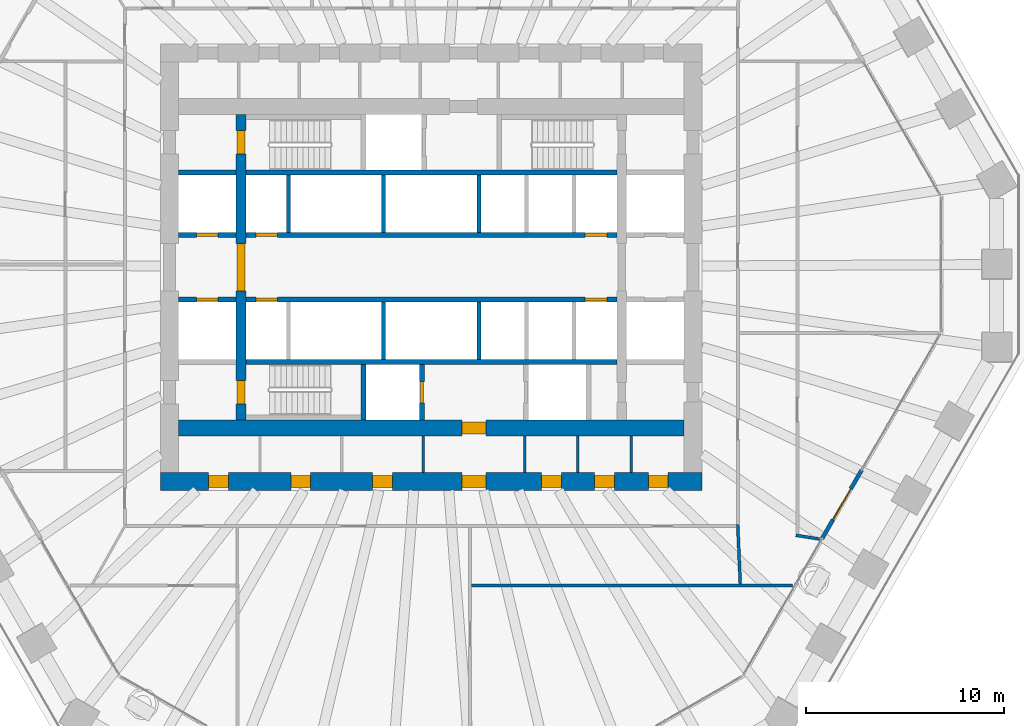
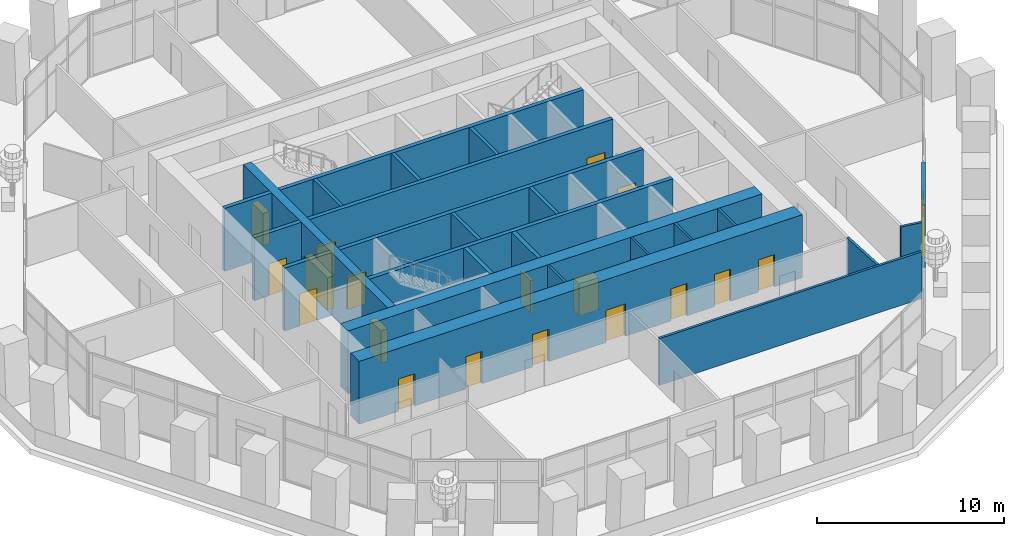
# One storey, part 12 of 18: 25 walls, 19 doors, 1 window, 20 openings.
"""IFC4 building model written with IfcOpenShell, lengths in metres."""

from ifc_helpers import new_model, si_unit, direction, frame, frame_2d, origin, place, context, subcontext, project, spatial, rectangle, extrude, material, layer, layer_set, type_object, element, fill, save


model = new_model("IFC4")

# Units and contexts
model_context = context("Model", 3, precision=1e-05, world=origin(), true_north=direction((0.0, 1.0)))
body_context = subcontext(model_context, "Body", "Model", "MODEL_VIEW")
ifc_project = project(units=[si_unit("LENGTHUNIT", "METRE"), si_unit("AREAUNIT", "SQUARE_METRE"), si_unit("VOLUMEUNIT", "CUBIC_METRE"), si_unit("PLANEANGLEUNIT", "RADIAN"), si_unit("MASSUNIT", "GRAM", prefix="KILO")], contexts=[model_context])

# Site, building, storey
site_placement = place(None, origin())
site = spatial("IfcSite", under=ifc_project, at=site_placement, CompositionType="ELEMENT")
building_placement = place(site_placement, origin())
building = spatial("IfcBuilding", under=site, at=building_placement, Name="Frailejon Research Tower", CompositionType="ELEMENT")
storey_placement = place(building_placement, frame((0.0, 0.0, 19.0)))
storey = spatial("IfcBuildingStorey", under=building, at=storey_placement, Name="L04", CompositionType="ELEMENT", Elevation=19.0)

# Walls
ifc_material_1 = material(Name="Plasterboard on steel studs", Category="steel")
ifc_layer_1 = layer(ifc_material_1, 0.125)
ifc_layer_set_1 = layer_set([ifc_layer_1], Name="Core partition 125")
wall_type_1 = type_object("IfcWallType", Name="Core partition 125", PredefinedType="PARTITIONING", material=ifc_layer_set_1)
for number, where, z_axis, x_axis, name in (
    (1, (-0.41259765625, -10.35009765625, 0.0), (0.0, 0.0, 1.0), (0.0, 1.0, 0.0), "Core partition"),
    (2, (4.71240234375, -10.35009765625, 0.0), (0.0, 0.0, 1.0), (0.0, 1.0, 0.0), "Core partition"),
    (3, (7.3916015625, -10.35009765625, 0.0), (0.0, 0.0, 1.0), (0.0, 1.0, 0.0), "Core partition"),
    (4, (10.07080078125, -10.35009765625, 0.0), (0.0, 0.0, 1.0), (0.0, 1.0, 0.0), "Core partition"),
):
    element("IfcWall", number, at=place(storey_placement, frame(where, z_axis=z_axis, x_axis=x_axis)), inside=storey, type_object=wall_type_1, Name=name, PredefinedType="PARTITIONING", context=body_context, shape_type="SweptSolid", body=[
        extrude(rectangle(XDim=1.85009765625, YDim=0.125, at=frame_2d((0.925048828125, 0.0))), origin(), (0.0, 0.0, 1.0), 4.10009765625),
    ])

# Wall, openings, doors
ifc_material_2 = material(Name="Concrete C70/85", Category="concrete")
ifc_layer_2 = layer(ifc_material_2, 0.5)
ifc_layer_set_2 = layer_set([ifc_layer_2], Name="Core shear wall 500 C70/85")
wall_type_2 = type_object("IfcWallType", Name="Core shear wall 500 C70/85", PredefinedType="SHEAR", material=ifc_layer_set_2)
wall_1_placement = place(storey_placement, frame((-9.60009765625, -7.699951171875, 0.0), z_axis=(0.0, 0.0, 1.0), x_axis=(0.0, 1.0, 0.0)))
wall_1 = element("IfcWall", 5, at=wall_1_placement, inside=storey, type_object=wall_type_2, Name="Core shear wall", PredefinedType="SHEAR", context=body_context, shape_type="SweptSolid", body=[
    extrude(rectangle(XDim=15.39990234375, YDim=0.5, at=frame_2d((7.699951171875, 0.0))), origin(), (0.0, 0.0, 1.0), 4.10009765625),
])
opening_1_placement = place(wall_1_placement, frame((6.5, 0.0, 0.0)))
opening_1 = element("IfcOpeningElement", 6, at=opening_1_placement, cuts=wall_1, Name="Opening D2", PredefinedType="OPENING", context=body_context, shape_type="SweptSolid", body=[
    extrude(rectangle(XDim=2.39990234375, YDim=2.10009765625, at=frame_2d((1.199951171875, 1.050048828125))), frame((0.0, 0.260009765625, 0.0), z_axis=(0.0, -1.0, 0.0), x_axis=(1.0, 0.0, 0.0)), (0.0, 0.0, 1.0), 0.52001953125),
])
opening_2_placement = place(wall_1_placement, frame((13.39990234375, 0.0, 0.0)))
opening_2 = element("IfcOpeningElement", 7, at=opening_2_placement, cuts=wall_1, Name="Opening D1", PredefinedType="OPENING", context=body_context, shape_type="SweptSolid", body=[
    extrude(rectangle(XDim=1.199951171875, YDim=2.10009765625, at=frame_2d((0.60009765625, 1.050048828125))), frame((0.0, 0.260009765625, 0.0), z_axis=(0.0, -1.0, 0.0), x_axis=(1.0, 0.0, 0.0)), (0.0, 0.0, 1.0), 0.52001953125),
])
opening_3_placement = place(wall_1_placement, frame((0.800048828125, 0.0, 0.0)))
opening_3 = element("IfcOpeningElement", 8, at=opening_3_placement, cuts=wall_1, Name="Opening D1", PredefinedType="OPENING", context=body_context, shape_type="SweptSolid", body=[
    extrude(rectangle(XDim=1.199951171875, YDim=2.10009765625, at=frame_2d((0.60009765625, 1.050048828125))), frame((0.0, 0.260009765625, 0.0), z_axis=(0.0, -1.0, 0.0), x_axis=(1.0, 0.0, 0.0)), (0.0, 0.0, 1.0), 0.52001953125),
])
ifc_material_3 = material(Name="Steel", Category="steel")
door_type_1 = type_object("IfcDoorType", Name="Lobby double door", OperationType="DOUBLE_DOOR_SINGLE_SWING", PredefinedType="DOOR", material=ifc_material_3)
door_1_placement = place(opening_1_placement, origin())
door_1 = element("IfcDoor", 9, at=door_1_placement, inside=storey, type_object=door_type_1, Name="Lobby door", OperationType="DOUBLE_DOOR_SINGLE_SWING", OverallHeight=2.10009765625, OverallWidth=2.39990234375, PredefinedType="DOOR", context=body_context, shape_type="SweptSolid", body=[
    extrude(rectangle(XDim=2.39990234375, YDim=2.10009765625, at=frame_2d((1.199951171875, 1.050048828125))), frame((0.0, 0.199951171875, 0.0), z_axis=(0.0, -1.0, 0.0), x_axis=(1.0, 0.0, 0.0)), (0.0, 0.0, 1.0), 0.39990234375),
])
fill(opening_1, door_1)
ifc_material_4 = material(Name="Steel", Category="steel")
door_type_2 = type_object("IfcDoorType", Name="Stair door", OperationType="SINGLE_SWING_LEFT", PredefinedType="DOOR", material=ifc_material_4)
door_2_placement = place(opening_2_placement, origin())
door_2 = element("IfcDoor", 10, at=door_2_placement, inside=storey, type_object=door_type_2, Name="Stair door ST1", OperationType="SINGLE_SWING_RIGHT", OverallHeight=2.10009765625, OverallWidth=1.199951171875, PredefinedType="DOOR", context=body_context, shape_type="SweptSolid", body=[
    extrude(rectangle(XDim=1.199951171875, YDim=2.10009765625, at=frame_2d((0.60009765625, 1.050048828125))), frame((0.0, 0.199951171875, 0.0), z_axis=(0.0, -1.0, 0.0), x_axis=(1.0, 0.0, 0.0)), (0.0, 0.0, 1.0), 0.39990234375),
])
fill(opening_2, door_2)
door_3_placement = place(opening_3_placement, origin())
door_3 = element("IfcDoor", 11, at=door_3_placement, inside=storey, type_object=door_type_2, Name="Stair door ST2", OperationType="SINGLE_SWING_RIGHT", OverallHeight=2.10009765625, OverallWidth=1.199951171875, PredefinedType="DOOR", context=body_context, shape_type="SweptSolid", body=[
    extrude(rectangle(XDim=1.199951171875, YDim=2.10009765625, at=frame_2d((0.60009765625, 1.050048828125))), frame((0.0, 0.199951171875, 0.0), z_axis=(0.0, -1.0, 0.0), x_axis=(1.0, 0.0, 0.0)), (0.0, 0.0, 1.0), 0.39990234375),
])
fill(opening_3, door_3)

# Wall, opening, door
ifc_material_5 = material(Name="Concrete C70/85", Category="concrete")
ifc_layer_3 = layer(ifc_material_5, 0.800048828125)
ifc_layer_set_3 = layer_set([ifc_layer_3], Name="Core shear wall 800 C70/85")
wall_type_3 = type_object("IfcWallType", Name="Core shear wall 800 C70/85", PredefinedType="SHEAR", material=ifc_layer_set_3)
wall_2_placement = place(storey_placement, frame((-12.75, -8.10009765625, 0.0), z_axis=(0.0, 0.0, 1.0), x_axis=(1.0, 0.0, 0.0)))
wall_2 = element("IfcWall", 12, at=wall_2_placement, inside=storey, type_object=wall_type_3, Name="Core shear wall", PredefinedType="SHEAR", context=body_context, shape_type="SweptSolid", body=[
    extrude(rectangle(XDim=25.5, YDim=0.800048828125, at=frame_2d((12.75, 0.0))), origin(), (0.0, 0.0, 1.0), 4.10009765625),
])
opening_4_placement = place(wall_2_placement, frame((14.300048828125, 0.0, 0.0)))
opening_4 = element("IfcOpeningElement", 13, at=opening_4_placement, cuts=wall_2, Name="Opening D3", PredefinedType="OPENING", context=body_context, shape_type="SweptSolid", body=[
    extrude(rectangle(XDim=1.199951171875, YDim=2.10009765625, at=frame_2d((0.60009765625, 1.050048828125))), frame((0.0, 0.409912109375, 0.0), z_axis=(0.0, -1.0, 0.0), x_axis=(1.0, 0.0, 0.0)), (0.0, 0.0, 1.0), 0.820068359375),
])
ifc_material_6 = material(Name="Steel", Category="steel")
door_type_3 = type_object("IfcDoorType", Name="Firefighting lobby door", OperationType="SINGLE_SWING_LEFT", PredefinedType="DOOR", material=ifc_material_6)
door_4_placement = place(opening_4_placement, origin())
door_4 = element("IfcDoor", 14, at=door_4_placement, inside=storey, type_object=door_type_3, Name="Firefighting lobby door", OperationType="SINGLE_SWING_RIGHT", OverallHeight=2.10009765625, OverallWidth=1.199951171875, PredefinedType="DOOR", context=body_context, shape_type="SweptSolid", body=[
    extrude(rectangle(XDim=1.199951171875, YDim=2.10009765625, at=frame_2d((0.60009765625, 1.050048828125))), frame((0.0, 0.300048828125, 0.0), z_axis=(0.0, -1.0, 0.0), x_axis=(1.0, 0.0, 0.0)), (0.0, 0.0, 1.0), 0.60009765625),
])
fill(opening_4, door_4)

# Wall, openings, doors
ifc_material_7 = material(Name="Concrete C70/85", Category="concrete")
ifc_layer_4 = layer(ifc_material_7, 0.89990234375)
ifc_layer_set_4 = layer_set([ifc_layer_4], Name="Core shear wall 900 C70/85")
wall_type_4 = type_object("IfcWallType", Name="Core shear wall 900 C70/85", PredefinedType="SHEAR", material=ifc_layer_set_4)
wall_3_placement = place(storey_placement, frame((-13.64990234375, -10.800048828125, 0.0), z_axis=(0.0, 0.0, 1.0), x_axis=(1.0, 0.0, 0.0)))
wall_3 = element("IfcWall", 15, at=wall_3_placement, inside=storey, type_object=wall_type_4, Name="Core shear wall", PredefinedType="SHEAR", context=body_context, shape_type="SweptSolid", body=[
    extrude(rectangle(XDim=27.2998046875, YDim=0.89990234375, at=frame_2d((13.64990234375, 0.0))), origin(), (0.0, 0.0, 1.0), 4.10009765625),
])
opening_5_placement = place(wall_3_placement, frame((2.425048828125, 0.0, 0.0)))
opening_5 = element("IfcOpeningElement", 16, at=opening_5_placement, cuts=wall_3, Name="Opening D4", PredefinedType="OPENING", context=body_context, shape_type="SweptSolid", body=[
    extrude(rectangle(XDim=1.0, YDim=2.10009765625, at=frame_2d((0.5, 1.050048828125))), frame((0.0, 0.4599609375, 0.0), z_axis=(0.0, -1.0, 0.0), x_axis=(1.0, 0.0, 0.0)), (0.0, 0.0, 1.0), 0.919921875),
])
opening_6_placement = place(wall_3_placement, frame((6.568603515625, 0.0, 0.0)))
opening_6 = element("IfcOpeningElement", 17, at=opening_6_placement, cuts=wall_3, Name="Opening D4", PredefinedType="OPENING", context=body_context, shape_type="SweptSolid", body=[
    extrude(rectangle(XDim=1.0, YDim=2.10009765625, at=frame_2d((0.5, 1.050048828125))), frame((0.0, 0.4599609375, 0.0), z_axis=(0.0, -1.0, 0.0), x_axis=(1.0, 0.0, 0.0)), (0.0, 0.0, 1.0), 0.919921875),
])
opening_7_placement = place(wall_3_placement, frame((10.68115234375, 0.0, 0.0)))
opening_7 = element("IfcOpeningElement", 18, at=opening_7_placement, cuts=wall_3, Name="Opening D4", PredefinedType="OPENING", context=body_context, shape_type="SweptSolid", body=[
    extrude(rectangle(XDim=1.0, YDim=2.10009765625, at=frame_2d((0.5, 1.050048828125))), frame((0.0, 0.4599609375, 0.0), z_axis=(0.0, -1.0, 0.0), x_axis=(1.0, 0.0, 0.0)), (0.0, 0.0, 1.0), 0.919921875),
])
opening_8_placement = place(wall_3_placement, frame((19.2021484375, 0.0, 0.0)))
opening_8 = element("IfcOpeningElement", 19, at=opening_8_placement, cuts=wall_3, Name="Opening D4", PredefinedType="OPENING", context=body_context, shape_type="SweptSolid", body=[
    extrude(rectangle(XDim=1.0, YDim=2.10009765625, at=frame_2d((0.5, 1.050048828125))), frame((0.0, 0.4599609375, 0.0), z_axis=(0.0, -1.0, 0.0), x_axis=(1.0, 0.0, 0.0)), (0.0, 0.0, 1.0), 0.919921875),
])
opening_9_placement = place(wall_3_placement, frame((21.881103515625, 0.0, 0.0)))
opening_9 = element("IfcOpeningElement", 20, at=opening_9_placement, cuts=wall_3, Name="Opening D4", PredefinedType="OPENING", context=body_context, shape_type="SweptSolid", body=[
    extrude(rectangle(XDim=1.0, YDim=2.10009765625, at=frame_2d((0.5, 1.050048828125))), frame((0.0, 0.4599609375, 0.0), z_axis=(0.0, -1.0, 0.0), x_axis=(1.0, 0.0, 0.0)), (0.0, 0.0, 1.0), 0.919921875),
])
opening_10_placement = place(wall_3_placement, frame((24.591796875, 0.0, 0.0)))
opening_10 = element("IfcOpeningElement", 21, at=opening_10_placement, cuts=wall_3, Name="Opening D4", PredefinedType="OPENING", context=body_context, shape_type="SweptSolid", body=[
    extrude(rectangle(XDim=1.0, YDim=2.10009765625, at=frame_2d((0.5, 1.050048828125))), frame((0.0, 0.4599609375, 0.0), z_axis=(0.0, -1.0, 0.0), x_axis=(1.0, 0.0, 0.0)), (0.0, 0.0, 1.0), 0.919921875),
])
opening_11_placement = place(wall_3_placement, frame((15.199951171875, 0.0, 0.0)))
opening_11 = element("IfcOpeningElement", 22, at=opening_11_placement, cuts=wall_3, Name="Opening D3", PredefinedType="OPENING", context=body_context, shape_type="SweptSolid", body=[
    extrude(rectangle(XDim=1.199951171875, YDim=2.10009765625, at=frame_2d((0.60009765625, 1.050048828125))), frame((0.0, 0.4599609375, 0.0), z_axis=(0.0, -1.0, 0.0), x_axis=(1.0, 0.0, 0.0)), (0.0, 0.0, 1.0), 0.919921875),
])
door_5_placement = place(opening_11_placement, origin())
door_5 = element("IfcDoor", 23, at=door_5_placement, inside=storey, type_object=door_type_3, Name="Passage door", OperationType="SINGLE_SWING_RIGHT", OverallHeight=2.10009765625, OverallWidth=1.199951171875, PredefinedType="DOOR", context=body_context, shape_type="SweptSolid", body=[
    extrude(rectangle(XDim=1.199951171875, YDim=2.10009765625, at=frame_2d((0.60009765625, 1.050048828125))), frame((0.0, 0.300048828125, 0.0), z_axis=(0.0, -1.0, 0.0), x_axis=(1.0, 0.0, 0.0)), (0.0, 0.0, 1.0), 0.60009765625),
])
fill(opening_11, door_5)
ifc_material_8 = material(Name="Steel", Category="steel")
door_type_4 = type_object("IfcDoorType", Name="Service door", OperationType="SINGLE_SWING_LEFT", PredefinedType="DOOR", material=ifc_material_8)
door_6_placement = place(opening_5_placement, origin())
door_6 = element("IfcDoor", 24, at=door_6_placement, inside=storey, type_object=door_type_4, Name="Room door", OperationType="SINGLE_SWING_RIGHT", OverallHeight=2.10009765625, OverallWidth=1.0, PredefinedType="DOOR", context=body_context, shape_type="SweptSolid", body=[
    extrude(rectangle(XDim=1.0, YDim=2.10009765625, at=frame_2d((0.5, 1.050048828125))), frame((0.0, 0.300048828125, 0.0), z_axis=(0.0, -1.0, 0.0), x_axis=(1.0, 0.0, 0.0)), (0.0, 0.0, 1.0), 0.60009765625),
])
fill(opening_5, door_6)
door_7_placement = place(opening_6_placement, origin())
door_7 = element("IfcDoor", 25, at=door_7_placement, inside=storey, type_object=door_type_4, Name="Room door", OperationType="SINGLE_SWING_LEFT", OverallHeight=2.10009765625, OverallWidth=1.0, PredefinedType="DOOR", context=body_context, shape_type="SweptSolid", body=[
    extrude(rectangle(XDim=1.0, YDim=2.10009765625, at=frame_2d((0.5, 1.050048828125))), frame((0.0, 0.300048828125, 0.0), z_axis=(0.0, -1.0, 0.0), x_axis=(1.0, 0.0, 0.0)), (0.0, 0.0, 1.0), 0.60009765625),
])
fill(opening_6, door_7)
door_8_placement = place(opening_7_placement, origin())
door_8 = element("IfcDoor", 26, at=door_8_placement, inside=storey, type_object=door_type_4, Name="Room door", OperationType="SINGLE_SWING_RIGHT", OverallHeight=2.10009765625, OverallWidth=1.0, PredefinedType="DOOR", context=body_context, shape_type="SweptSolid", body=[
    extrude(rectangle(XDim=1.0, YDim=2.10009765625, at=frame_2d((0.5, 1.050048828125))), frame((0.0, 0.300048828125, 0.0), z_axis=(0.0, -1.0, 0.0), x_axis=(1.0, 0.0, 0.0)), (0.0, 0.0, 1.0), 0.60009765625),
])
fill(opening_7, door_8)
door_9_placement = place(opening_8_placement, origin())
door_9 = element("IfcDoor", 27, at=door_9_placement, inside=storey, type_object=door_type_4, Name="Room door", OperationType="SINGLE_SWING_LEFT", OverallHeight=2.10009765625, OverallWidth=1.0, PredefinedType="DOOR", context=body_context, shape_type="SweptSolid", body=[
    extrude(rectangle(XDim=1.0, YDim=2.10009765625, at=frame_2d((0.5, 1.050048828125))), frame((0.0, 0.300048828125, 0.0), z_axis=(0.0, -1.0, 0.0), x_axis=(1.0, 0.0, 0.0)), (0.0, 0.0, 1.0), 0.60009765625),
])
fill(opening_8, door_9)
door_10_placement = place(opening_9_placement, origin())
door_10 = element("IfcDoor", 28, at=door_10_placement, inside=storey, type_object=door_type_4, Name="Room door", OperationType="SINGLE_SWING_RIGHT", OverallHeight=2.10009765625, OverallWidth=1.0, PredefinedType="DOOR", context=body_context, shape_type="SweptSolid", body=[
    extrude(rectangle(XDim=1.0, YDim=2.10009765625, at=frame_2d((0.5, 1.050048828125))), frame((0.0, 0.300048828125, 0.0), z_axis=(0.0, -1.0, 0.0), x_axis=(1.0, 0.0, 0.0)), (0.0, 0.0, 1.0), 0.60009765625),
])
fill(opening_9, door_10)
door_11_placement = place(opening_10_placement, origin())
door_11 = element("IfcDoor", 29, at=door_11_placement, inside=storey, type_object=door_type_4, Name="Room door", OperationType="SINGLE_SWING_LEFT", OverallHeight=2.10009765625, OverallWidth=1.0, PredefinedType="DOOR", context=body_context, shape_type="SweptSolid", body=[
    extrude(rectangle(XDim=1.0, YDim=2.10009765625, at=frame_2d((0.5, 1.050048828125))), frame((0.0, 0.300048828125, 0.0), z_axis=(0.0, -1.0, 0.0), x_axis=(1.0, 0.0, 0.0)), (0.0, 0.0, 1.0), 0.60009765625),
])
fill(opening_10, door_11)

# Walls
ifc_material_9 = material(Name="Gypsum board and masonry partition", Category="masonry")
ifc_layer_5 = layer(ifc_material_9, 0.14990234375)
ifc_layer_set_5 = layer_set([ifc_layer_5], Name="Laboratory partition, blockwork 150")
wall_type_5 = type_object("IfcWallType", Name="Laboratory partition, blockwork 150", PredefinedType="PARTITIONING", material=ifc_layer_set_5)
wall_4_placement = place(storey_placement, frame((2.0302734375, -16.050048828125, 0.0), z_axis=(0.0, 0.0, 1.0), x_axis=(1.0, 0.0, 0.0)))
element("IfcWall", 30, at=wall_4_placement, inside=storey, type_object=wall_type_5, Name="T:IW:L04:020", PredefinedType="PARTITIONING", context=body_context, shape_type="SweptSolid", body=[
    extrude(rectangle(XDim=16.18505859375, YDim=0.14990234375, at=frame_2d((8.092529296875, 0.0))), origin(), (0.0, 0.0, 1.0), 3.050048828125),
])
wall_5_placement = place(storey_placement, frame((15.44677734375, -12.97509765625, 0.0), z_axis=(0.0, 0.0, 1.0), x_axis=(0.042766825561, -0.999085080777, 0.0)))
element("IfcWall", 31, at=wall_5_placement, inside=storey, type_object=wall_type_5, Name="T:IW:L04:023", PredefinedType="PARTITIONING", context=body_context, shape_type="SweptSolid", body=[
    extrude(rectangle(XDim=3.002685546875, YDim=0.14990234375, at=frame_2d((1.50146484375, 0.0))), origin(), (0.0, 0.0, 1.0), 3.050048828125),
])
wall_6_placement = place(storey_placement, frame((18.3759765625, -13.512451171875, 0.0), z_axis=(0.0, 0.0, 1.0), x_axis=(0.987733504161, -0.156149046614, 0.0)))
element("IfcWall", 32, at=wall_6_placement, inside=storey, type_object=wall_type_5, Name="T:IW:L04:024", PredefinedType="PARTITIONING", context=body_context, shape_type="SweptSolid", body=[
    extrude(rectangle(XDim=1.210205078125, YDim=0.14990234375, at=frame_2d((0.60498046875, 0.0))), origin(), (0.0, 0.0, 1.0), 3.050048828125),
])
ifc_material_10 = material(Name="Concrete C70/85", Category="concrete")
ifc_layer_6 = layer(ifc_material_10, 0.199951171875)
ifc_layer_set_6 = layer_set([ifc_layer_6], Name="Shaft wall 200 C70/85")
wall_type_6 = type_object("IfcWallType", Name="Shaft wall 200 C70/85", PredefinedType="SOLIDWALL", material=ifc_layer_set_6)
for number, where, z_axis, x_axis, name in (
    (33, (-7.199951171875, 1.75, 0.0), (0.0, 0.0, 1.0), (0.0, 1.0, 0.0), "Shaft wall"),
    (34, (-2.39990234375, 1.75, 0.0), (0.0, 0.0, 1.0), (0.0, 1.0, 0.0), "Shaft wall"),
    (35, (2.39990234375, 1.75, 0.0), (0.0, 0.0, 1.0), (0.0, 1.0, 0.0), "Shaft wall"),
    (36, (-2.39990234375, -4.64990234375, 0.0), (0.0, 0.0, 1.0), (0.0, 1.0, 0.0), "Shaft wall"),
    (37, (2.39990234375, -4.64990234375, 0.0), (0.0, 0.0, 1.0), (0.0, 1.0, 0.0), "Shaft wall"),
):
    element("IfcWall", number, at=place(storey_placement, frame(where, z_axis=z_axis, x_axis=x_axis)), inside=storey, type_object=wall_type_6, Name=name, PredefinedType="SOLIDWALL", context=body_context, shape_type="SweptSolid", body=[
        extrude(rectangle(XDim=2.89990234375, YDim=0.199951171875, at=frame_2d((1.449951171875, 0.0))), origin(), (0.0, 0.0, 1.0), 4.10009765625),
    ])

# Wall, opening, door
ifc_material_11 = material(Name="Concrete C70/85", Category="concrete")
ifc_layer_7 = layer(ifc_material_11, 0.25)
ifc_layer_set_7 = layer_set([ifc_layer_7], Name="Shaft wall 250 C70/85")
wall_type_7 = type_object("IfcWallType", Name="Shaft wall 250 C70/85", PredefinedType="SOLIDWALL", material=ifc_layer_set_7)
wall_7_placement = place(storey_placement, frame((-12.75, 1.625, 0.0), z_axis=(0.0, 0.0, 1.0), x_axis=(1.0, 0.0, 0.0)))
wall_7 = element("IfcWall", 38, at=wall_7_placement, inside=storey, type_object=wall_type_7, Name="Shaft wall", PredefinedType="SOLIDWALL", context=body_context, shape_type="SweptSolid", body=[
    extrude(rectangle(XDim=2.89990234375, YDim=0.25, at=frame_2d((1.449951171875, 0.0))), origin(), (0.0, 0.0, 1.0), 4.10009765625),
])
opening_12_placement = place(wall_7_placement, frame((0.89990234375, 0.0, 0.0)))
opening_12 = element("IfcOpeningElement", 39, at=opening_12_placement, cuts=wall_7, Name="Opening LD", PredefinedType="OPENING", context=body_context, shape_type="SweptSolid", body=[
    extrude(rectangle(XDim=1.10009765625, YDim=2.10009765625, at=frame_2d((0.550048828125, 1.050048828125))), frame((0.0, 0.135009765625, 0.0), z_axis=(0.0, -1.0, 0.0), x_axis=(1.0, 0.0, 0.0)), (0.0, 0.0, 1.0), 0.27001953125),
])
ifc_material_12 = material(Name="Steel", Category="steel")
door_type_5 = type_object("IfcDoorType", Name="Lift landing door", OperationType="DOUBLE_DOOR_SLIDING", PredefinedType="DOOR", material=ifc_material_12)
door_12_placement = place(opening_12_placement, origin())
door_12 = element("IfcDoor", 40, at=door_12_placement, inside=storey, type_object=door_type_5, Name="Lift landing door", OperationType="DOUBLE_DOOR_SLIDING", OverallHeight=2.10009765625, OverallWidth=1.10009765625, PredefinedType="DOOR", context=body_context, shape_type="SweptSolid", body=[
    extrude(rectangle(XDim=1.10009765625, YDim=2.10009765625, at=frame_2d((0.550048828125, 1.050048828125))), frame((0.0, 0.074951171875, 0.0), z_axis=(0.0, -1.0, 0.0), x_axis=(1.0, 0.0, 0.0)), (0.0, 0.0, 1.0), 0.14990234375),
])
fill(opening_12, door_12)

# Wall, openings, doors
wall_8_placement = place(storey_placement, frame((-9.35009765625, 1.625, 0.0), z_axis=(0.0, 0.0, 1.0), x_axis=(1.0, 0.0, 0.0)))
wall_8 = element("IfcWall", 41, at=wall_8_placement, inside=storey, type_object=wall_type_7, Name="Shaft wall", PredefinedType="SOLIDWALL", context=body_context, shape_type="SweptSolid", body=[
    extrude(rectangle(XDim=18.7001953125, YDim=0.25, at=frame_2d((9.35009765625, 0.0))), origin(), (0.0, 0.0, 1.0), 4.10009765625),
])
opening_13_placement = place(wall_8_placement, frame((0.5, 0.0, 0.0)))
opening_13 = element("IfcOpeningElement", 42, at=opening_13_placement, cuts=wall_8, Name="Opening LD", PredefinedType="OPENING", context=body_context, shape_type="SweptSolid", body=[
    extrude(rectangle(XDim=1.10009765625, YDim=2.10009765625, at=frame_2d((0.550048828125, 1.050048828125))), frame((0.0, 0.135009765625, 0.0), z_axis=(0.0, -1.0, 0.0), x_axis=(1.0, 0.0, 0.0)), (0.0, 0.0, 1.0), 0.27001953125),
])
opening_14_placement = place(wall_8_placement, frame((17.10009765625, 0.0, 0.0)))
opening_14 = element("IfcOpeningElement", 43, at=opening_14_placement, cuts=wall_8, Name="Opening LD", PredefinedType="OPENING", context=body_context, shape_type="SweptSolid", body=[
    extrude(rectangle(XDim=1.10009765625, YDim=2.10009765625, at=frame_2d((0.550048828125, 1.050048828125))), frame((0.0, 0.135009765625, 0.0), z_axis=(0.0, -1.0, 0.0), x_axis=(1.0, 0.0, 0.0)), (0.0, 0.0, 1.0), 0.27001953125),
])
door_13_placement = place(opening_13_placement, origin())
door_13 = element("IfcDoor", 44, at=door_13_placement, inside=storey, type_object=door_type_5, Name="Lift landing door", OperationType="DOUBLE_DOOR_SLIDING", OverallHeight=2.10009765625, OverallWidth=1.10009765625, PredefinedType="DOOR", context=body_context, shape_type="SweptSolid", body=[
    extrude(rectangle(XDim=1.10009765625, YDim=2.10009765625, at=frame_2d((0.550048828125, 1.050048828125))), frame((0.0, 0.074951171875, 0.0), z_axis=(0.0, -1.0, 0.0), x_axis=(1.0, 0.0, 0.0)), (0.0, 0.0, 1.0), 0.14990234375),
])
fill(opening_13, door_13)
door_14_placement = place(opening_14_placement, origin())
door_14 = element("IfcDoor", 45, at=door_14_placement, inside=storey, type_object=door_type_5, Name="Lift landing door", OperationType="DOUBLE_DOOR_SLIDING", OverallHeight=2.10009765625, OverallWidth=1.10009765625, PredefinedType="DOOR", context=body_context, shape_type="SweptSolid", body=[
    extrude(rectangle(XDim=1.10009765625, YDim=2.10009765625, at=frame_2d((0.550048828125, 1.050048828125))), frame((0.0, 0.074951171875, 0.0), z_axis=(0.0, -1.0, 0.0), x_axis=(1.0, 0.0, 0.0)), (0.0, 0.0, 1.0), 0.14990234375),
])
fill(opening_14, door_14)

# Walls
wall_9_placement = place(storey_placement, frame((-12.75, 4.77490234375, 0.0), z_axis=(0.0, 0.0, 1.0), x_axis=(1.0, 0.0, 0.0)))
element("IfcWall", 46, at=wall_9_placement, inside=storey, type_object=wall_type_7, Name="Shaft wall", PredefinedType="SOLIDWALL", context=body_context, shape_type="SweptSolid", body=[
    extrude(rectangle(XDim=2.89990234375, YDim=0.25, at=frame_2d((1.449951171875, 0.0))), origin(), (0.0, 0.0, 1.0), 4.10009765625),
])
wall_10_placement = place(storey_placement, frame((-9.35009765625, 4.77490234375, 0.0), z_axis=(0.0, 0.0, 1.0), x_axis=(1.0, 0.0, 0.0)))
element("IfcWall", 47, at=wall_10_placement, inside=storey, type_object=wall_type_7, Name="Shaft wall", PredefinedType="SOLIDWALL", context=body_context, shape_type="SweptSolid", body=[
    extrude(rectangle(XDim=18.7001953125, YDim=0.25, at=frame_2d((9.35009765625, 0.0))), origin(), (0.0, 0.0, 1.0), 4.10009765625),
])

# Wall, opening, door
wall_11_placement = place(storey_placement, frame((-12.75, -1.625, 0.0), z_axis=(0.0, 0.0, 1.0), x_axis=(1.0, 0.0, 0.0)))
wall_11 = element("IfcWall", 48, at=wall_11_placement, inside=storey, type_object=wall_type_7, Name="Shaft wall", PredefinedType="SOLIDWALL", context=body_context, shape_type="SweptSolid", body=[
    extrude(rectangle(XDim=2.89990234375, YDim=0.25, at=frame_2d((1.449951171875, 0.0))), origin(), (0.0, 0.0, 1.0), 4.10009765625),
])
opening_15_placement = place(wall_11_placement, frame((0.89990234375, 0.0, 0.0)))
opening_15 = element("IfcOpeningElement", 49, at=opening_15_placement, cuts=wall_11, Name="Opening LD", PredefinedType="OPENING", context=body_context, shape_type="SweptSolid", body=[
    extrude(rectangle(XDim=1.10009765625, YDim=2.10009765625, at=frame_2d((0.550048828125, 1.050048828125))), frame((0.0, 0.135009765625, 0.0), z_axis=(0.0, -1.0, 0.0), x_axis=(1.0, 0.0, 0.0)), (0.0, 0.0, 1.0), 0.27001953125),
])
door_15_placement = place(opening_15_placement, origin())
door_15 = element("IfcDoor", 50, at=door_15_placement, inside=storey, type_object=door_type_5, Name="Lift landing door", OperationType="DOUBLE_DOOR_SLIDING", OverallHeight=2.10009765625, OverallWidth=1.10009765625, PredefinedType="DOOR", context=body_context, shape_type="SweptSolid", body=[
    extrude(rectangle(XDim=1.10009765625, YDim=2.10009765625, at=frame_2d((0.550048828125, 1.050048828125))), frame((0.0, 0.074951171875, 0.0), z_axis=(0.0, -1.0, 0.0), x_axis=(1.0, 0.0, 0.0)), (0.0, 0.0, 1.0), 0.14990234375),
])
fill(opening_15, door_15)

# Wall, openings, doors
wall_12_placement = place(storey_placement, frame((-9.35009765625, -1.625, 0.0), z_axis=(0.0, 0.0, 1.0), x_axis=(1.0, 0.0, 0.0)))
wall_12 = element("IfcWall", 51, at=wall_12_placement, inside=storey, type_object=wall_type_7, Name="Shaft wall", PredefinedType="SOLIDWALL", context=body_context, shape_type="SweptSolid", body=[
    extrude(rectangle(XDim=18.7001953125, YDim=0.25, at=frame_2d((9.35009765625, 0.0))), origin(), (0.0, 0.0, 1.0), 4.10009765625),
])
opening_16_placement = place(wall_12_placement, frame((0.5, 0.0, 0.0)))
opening_16 = element("IfcOpeningElement", 52, at=opening_16_placement, cuts=wall_12, Name="Opening LD", PredefinedType="OPENING", context=body_context, shape_type="SweptSolid", body=[
    extrude(rectangle(XDim=1.10009765625, YDim=2.10009765625, at=frame_2d((0.550048828125, 1.050048828125))), frame((0.0, 0.135009765625, 0.0), z_axis=(0.0, -1.0, 0.0), x_axis=(1.0, 0.0, 0.0)), (0.0, 0.0, 1.0), 0.27001953125),
])
opening_17_placement = place(wall_12_placement, frame((17.10009765625, 0.0, 0.0)))
opening_17 = element("IfcOpeningElement", 53, at=opening_17_placement, cuts=wall_12, Name="Opening LD", PredefinedType="OPENING", context=body_context, shape_type="SweptSolid", body=[
    extrude(rectangle(XDim=1.10009765625, YDim=2.10009765625, at=frame_2d((0.550048828125, 1.050048828125))), frame((0.0, 0.135009765625, 0.0), z_axis=(0.0, -1.0, 0.0), x_axis=(1.0, 0.0, 0.0)), (0.0, 0.0, 1.0), 0.27001953125),
])
door_16_placement = place(opening_16_placement, origin())
door_16 = element("IfcDoor", 54, at=door_16_placement, inside=storey, type_object=door_type_5, Name="Lift landing door", OperationType="DOUBLE_DOOR_SLIDING", OverallHeight=2.10009765625, OverallWidth=1.10009765625, PredefinedType="DOOR", context=body_context, shape_type="SweptSolid", body=[
    extrude(rectangle(XDim=1.10009765625, YDim=2.10009765625, at=frame_2d((0.550048828125, 1.050048828125))), frame((0.0, 0.074951171875, 0.0), z_axis=(0.0, -1.0, 0.0), x_axis=(1.0, 0.0, 0.0)), (0.0, 0.0, 1.0), 0.14990234375),
])
fill(opening_16, door_16)
door_17_placement = place(opening_17_placement, origin())
door_17 = element("IfcDoor", 55, at=door_17_placement, inside=storey, type_object=door_type_5, Name="Lift landing door", OperationType="DOUBLE_DOOR_SLIDING", OverallHeight=2.10009765625, OverallWidth=1.10009765625, PredefinedType="DOOR", context=body_context, shape_type="SweptSolid", body=[
    extrude(rectangle(XDim=1.10009765625, YDim=2.10009765625, at=frame_2d((0.550048828125, 1.050048828125))), frame((0.0, 0.074951171875, 0.0), z_axis=(0.0, -1.0, 0.0), x_axis=(1.0, 0.0, 0.0)), (0.0, 0.0, 1.0), 0.14990234375),
])
fill(opening_17, door_17)

# Walls
wall_13_placement = place(storey_placement, frame((-9.35009765625, -4.77490234375, 0.0), z_axis=(0.0, 0.0, 1.0), x_axis=(1.0, 0.0, 0.0)))
element("IfcWall", 56, at=wall_13_placement, inside=storey, type_object=wall_type_7, Name="Shaft wall", PredefinedType="SOLIDWALL", context=body_context, shape_type="SweptSolid", body=[
    extrude(rectangle(XDim=18.7001953125, YDim=0.25, at=frame_2d((9.35009765625, 0.0))), origin(), (0.0, 0.0, 1.0), 4.10009765625),
])
wall_14_placement = place(storey_placement, frame((-3.425048828125, -7.699951171875, 0.0), z_axis=(0.0, 0.0, 1.0), x_axis=(0.0, 1.0, 0.0)))
element("IfcWall", 57, at=wall_14_placement, inside=storey, type_object=wall_type_7, Name="Shaft wall", PredefinedType="SOLIDWALL", context=body_context, shape_type="SweptSolid", body=[
    extrude(rectangle(XDim=2.800048828125, YDim=0.25, at=frame_2d((1.39990234375, 0.0))), origin(), (0.0, 0.0, 1.0), 4.10009765625),
])

# Wall, opening, door
wall_15_placement = place(storey_placement, frame((-0.47509765625, -7.699951171875, 0.0), z_axis=(0.0, 0.0, 1.0), x_axis=(0.0, 1.0, 0.0)))
wall_15 = element("IfcWall", 58, at=wall_15_placement, inside=storey, type_object=wall_type_7, Name="Shaft wall", PredefinedType="SOLIDWALL", context=body_context, shape_type="SweptSolid", body=[
    extrude(rectangle(XDim=2.800048828125, YDim=0.25, at=frame_2d((1.39990234375, 0.0))), origin(), (0.0, 0.0, 1.0), 4.10009765625),
])
opening_18_placement = place(wall_15_placement, frame((0.85009765625, 0.0, 0.0)))
opening_18 = element("IfcOpeningElement", 59, at=opening_18_placement, cuts=wall_15, Name="Opening LD", PredefinedType="OPENING", context=body_context, shape_type="SweptSolid", body=[
    extrude(rectangle(XDim=1.10009765625, YDim=2.10009765625, at=frame_2d((0.550048828125, 1.050048828125))), frame((0.0, 0.135009765625, 0.0), z_axis=(0.0, -1.0, 0.0), x_axis=(1.0, 0.0, 0.0)), (0.0, 0.0, 1.0), 0.27001953125),
])
door_18_placement = place(opening_18_placement, origin())
door_18 = element("IfcDoor", 60, at=door_18_placement, inside=storey, type_object=door_type_5, Name="Lift landing door", OperationType="DOUBLE_DOOR_SLIDING", OverallHeight=2.10009765625, OverallWidth=1.10009765625, PredefinedType="DOOR", context=body_context, shape_type="SweptSolid", body=[
    extrude(rectangle(XDim=1.10009765625, YDim=2.10009765625, at=frame_2d((0.550048828125, 1.050048828125))), frame((0.0, 0.074951171875, 0.0), z_axis=(0.0, -1.0, 0.0), x_axis=(1.0, 0.0, 0.0)), (0.0, 0.0, 1.0), 0.14990234375),
])
fill(opening_18, door_18)

# Wall, openings, door, window
ifc_material_13 = material(Name="Concrete C40/50 precast window wall panel", Category="concrete")
ifc_layer_8 = layer(ifc_material_13, 0.199951171875)
ifc_layer_set_8 = layer_set([ifc_layer_8], Name="Window wall 200")
wall_type_8 = type_object("IfcWallType", Name="Window wall 200", PredefinedType="SOLIDWALL", material=ifc_layer_set_8)
wall_16_placement = place(storey_placement, frame((19.69921875, -13.68017578125, 0.0), z_axis=(0.0, 0.0, 1.0), x_axis=(0.499983378401, 0.866035000056, 0.0)))
wall_16 = element("IfcWall", 61, at=wall_16_placement, inside=storey, type_object=wall_type_8, Name="Door pier L04", PredefinedType="SOLIDWALL", context=body_context, shape_type="SweptSolid", body=[
    extrude(rectangle(XDim=3.995849609375, YDim=0.199951171875, at=frame_2d((1.998046875, 0.0))), origin(), (0.0, 0.0, 1.0), 4.10009765625),
])
opening_19_placement = place(wall_16_placement, frame((1.097900390625, 0.0, 0.0)))
opening_19 = element("IfcOpeningElement", 62, at=opening_19_placement, cuts=wall_16, Name="Opening LG04-6", PredefinedType="OPENING", context=body_context, shape_type="SweptSolid", body=[
    extrude(rectangle(XDim=1.800048828125, YDim=2.39990234375, at=frame_2d((0.89990234375, 1.199951171875))), frame((0.0, 0.10986328125, 0.0), z_axis=(0.0, -1.0, 0.0), x_axis=(1.0, 0.0, 0.0)), (0.0, 0.0, 1.0), 0.219970703125),
])
opening_20_placement = place(wall_16_placement, frame((1.097900390625, 0.0, 2.550048828125)))
opening_20 = element("IfcOpeningElement", 63, at=opening_20_placement, cuts=wall_16, Name="Opening W1", PredefinedType="OPENING", context=body_context, shape_type="SweptSolid", body=[
    extrude(rectangle(XDim=1.800048828125, YDim=0.449951171875, at=frame_2d((0.89990234375, 0.22509765625))), frame((0.0, 0.10986328125, 0.0), z_axis=(0.0, -1.0, 0.0), x_axis=(1.0, 0.0, 0.0)), (0.0, 0.0, 1.0), 0.219970703125),
])
ifc_material_14 = material(Name="Aluminium framed glazed door leaf", Category="aluminium")
door_type_6 = type_object("IfcDoorType", Name="Loggia door 1800x2400", OperationType="DOUBLE_DOOR_SINGLE_SWING", PredefinedType="DOOR", material=ifc_material_14)
door_19_placement = place(opening_19_placement, origin())
door_19 = element("IfcDoor", 64, at=door_19_placement, inside=storey, type_object=door_type_6, Name="Door LG04-6", OperationType="DOUBLE_DOOR_SINGLE_SWING", OverallHeight=2.39990234375, OverallWidth=1.800048828125, PredefinedType="DOOR", context=body_context, shape_type="SweptSolid", body=[
    extrude(rectangle(XDim=1.800048828125, YDim=2.39990234375, at=frame_2d((0.89990234375, 1.199951171875))), frame((0.0, 0.02490234375, 0.0), z_axis=(0.0, -1.0, 0.0), x_axis=(1.0, 0.0, 0.0)), (0.0, 0.0, 1.0), 0.050048828125),
])
fill(opening_19, door_19)
ifc_material_15 = material(Name="Aluminium framed double glazing", Category="aluminium")
window_type = type_object("IfcWindowType", Name="Window 1800x450", PartitioningType="SINGLE_PANEL", PredefinedType="WINDOW", material=ifc_material_15)
window_placement = place(opening_20_placement, origin())
window = element("IfcWindow", 65, at=window_placement, inside=storey, type_object=window_type, Name="Window L04", OverallHeight=0.449951171875, OverallWidth=1.800048828125, PartitioningType="SINGLE_PANEL", PredefinedType="WINDOW", context=body_context, shape_type="SweptSolid", body=[
    extrude(rectangle(XDim=1.800048828125, YDim=0.449951171875, at=frame_2d((0.89990234375, 0.22509765625))), frame((0.0, 0.030029296875, 0.0), z_axis=(0.0, -1.0, 0.0), x_axis=(1.0, 0.0, 0.0)), (0.0, 0.0, 1.0), 0.06005859375),
])
fill(opening_20, window)

save(model, "model.ifc")
